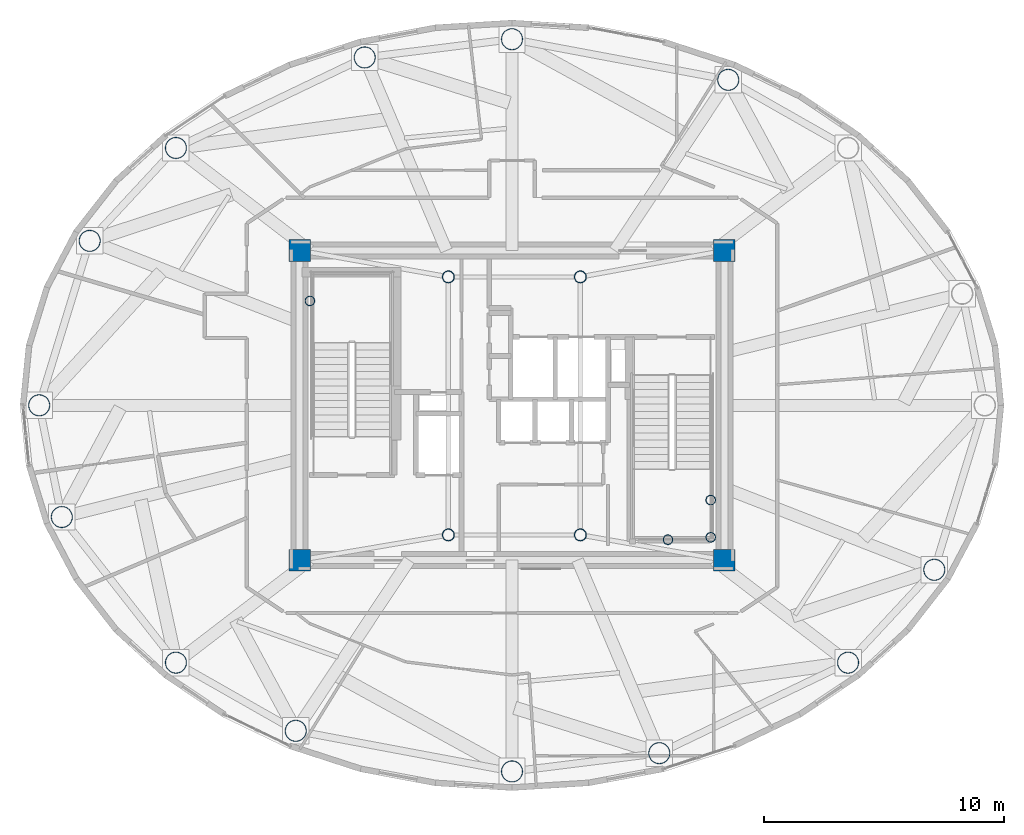
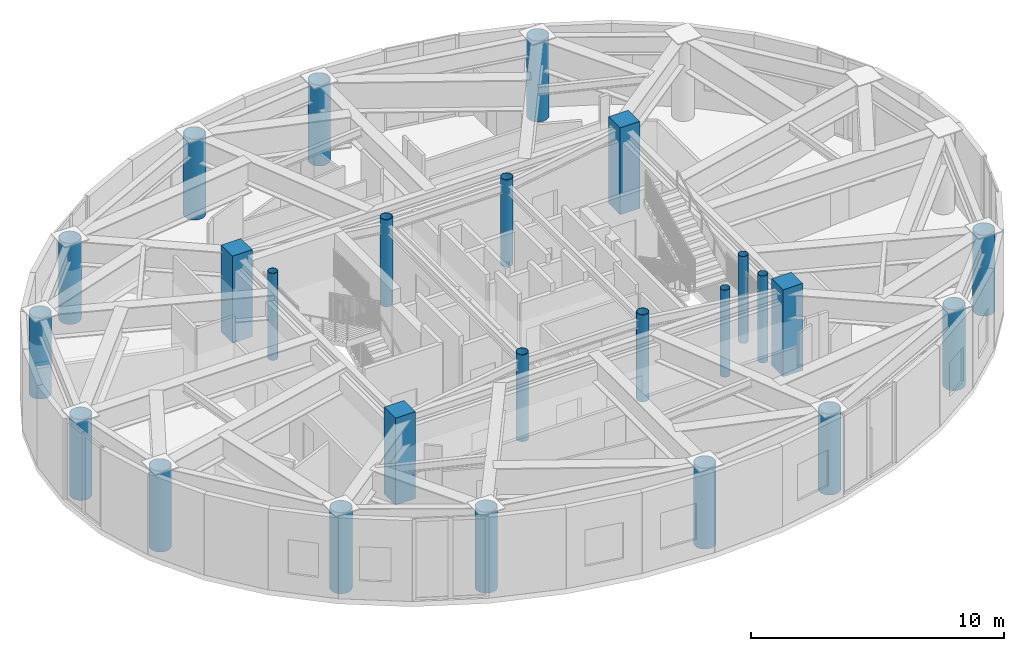
# One storey, part 1 of 23: 25 columns.
"""IFC4 building model written with IfcOpenShell, lengths in metres."""

from ifc_helpers import new_model, si_unit, direction, frame, origin, origin_2d, place, context, subcontext, project, spatial, rectangle, hollow_circle, extrude, material, material_profile, profile_set, type_object, element, save


model = new_model("IFC4")

# Units and contexts
model_context = context("Model", 3, precision=1e-05, world=origin(), true_north=direction((0.0, 1.0)))
body_context = subcontext(model_context, "Body", "Model", "MODEL_VIEW")
ifc_project = project(units=[si_unit("LENGTHUNIT", "METRE"), si_unit("AREAUNIT", "SQUARE_METRE"), si_unit("VOLUMEUNIT", "CUBIC_METRE"), si_unit("PLANEANGLEUNIT", "RADIAN"), si_unit("MASSUNIT", "GRAM", prefix="KILO")], contexts=[model_context])

# Site, building, storey
site_placement = place(None, origin())
site = spatial("IfcSite", under=ifc_project, at=site_placement, CompositionType="ELEMENT")
building_placement = place(site_placement, origin())
building = spatial("IfcBuilding", under=site, at=building_placement, Name="Linh Dai School and Residence Tower", CompositionType="ELEMENT")
storey_placement = place(building_placement, frame((0.0, 0.0, 359.39990234375)))
storey = spatial("IfcBuildingStorey", under=building, at=storey_placement, Name="L89", CompositionType="ELEMENT", Elevation=359.39990234375)

# Columns
ifc_material_1 = material(Name="Concrete B45 (C35/45)", Category="concrete")
ifc_material_profile_1 = material_profile(ifc_material_1, rectangle(XDim=0.89990234375, YDim=0.89990234375, at=origin_2d()), Name="RC 900x900")
ifc_profile_set_1 = profile_set([ifc_material_profile_1], Name="Concrete B45 (C35/45)")
column_type_1 = type_object("IfcColumnType", Name="COL-CC4", PredefinedType="COLUMN", material=ifc_profile_set_1)
for number, where, z_axis, x_axis, name in (
    (1, (27.14990234375, 20.550048828125, 0.0), (0.0, 0.0, 1.0), (1.0, 0.0, 0.0), "L89 Core Corner Pier CC1"),
    (2, (44.85009765625, 20.550048828125, 0.0), (0.0, 0.0, 1.0), (1.0, 0.0, 0.0), "L89 Core Corner Pier CC2"),
    (3, (44.85009765625, 33.449951171875, 0.0), (0.0, 0.0, 1.0), (1.0, 0.0, 0.0), "L89 Core Corner Pier CC3"),
    (4, (27.14990234375, 33.449951171875, 0.0), (0.0, 0.0, 1.0), (1.0, 0.0, 0.0), "L89 Core Corner Pier CC4"),
):
    element("IfcColumn", number, at=place(storey_placement, frame(where, z_axis=z_axis, x_axis=x_axis)), inside=storey, type_object=column_type_1, Name=name, PredefinedType="COLUMN", context=body_context, shape_type="SweptSolid", body=[
        extrude(rectangle(XDim=0.89990234375, YDim=0.89990234375, at=origin_2d()), origin(), (0.0, 0.0, 1.0), 4.2001953125),
    ])
ifc_material_2 = material(Name="Structural Steel S355JR", Category="steel")
ifc_material_profile_2 = material_profile(ifc_material_2, hollow_circle(Radius=0.203125, WallThickness=0.01611328125, at=origin_2d()), Name="CHS 406.4x16")
ifc_profile_set_2 = profile_set([ifc_material_profile_2], Name="Structural Steel S355JR")
column_type_2 = type_object("IfcColumnType", Name="COL-EC", PredefinedType="COLUMN", material=ifc_profile_set_2)
for number, where, z_axis, x_axis, name in (
    (5, (27.580078125, 31.35009765625, 0.0), (0.0, 0.0, 1.0), (1.0, 0.0, 0.0), "L89 Stair Shaft Landing Support Pier ST1NW"),
    (6, (44.280029296875, 21.5, 0.0), (0.0, 0.0, 1.0), (1.0, 0.0, 0.0), "L89 Stair Shaft Landing Support Pier ST2SE"),
    (7, (44.280029296875, 23.050048828125, 0.0), (0.0, 0.0, 1.0), (1.0, 0.0, 0.0), "L89 Stair Shaft Landing Support Pier ST2NE"),
    (8, (42.5, 21.39990234375, 0.0), (0.0, 0.0, 1.0), (1.0, 0.0, 0.0), "L89 Stair Shaft Landing Support Pier ST2MS"),
):
    element("IfcColumn", number, at=place(storey_placement, frame(where, z_axis=z_axis, x_axis=x_axis)), inside=storey, type_object=column_type_2, Name=name, PredefinedType="COLUMN", context=body_context, shape_type="SweptSolid", body=[
        extrude(hollow_circle(Radius=0.203125, WallThickness=0.01611328125, at=origin_2d()), origin(), (0.0, 0.0, 1.0), 4.2001953125),
    ])
ifc_material_profile_3 = material_profile(ifc_material_2, hollow_circle(Radius=0.449951171875, WallThickness=0.028076171875, at=origin_2d()), Name="CHS 900x28")
ifc_profile_set_3 = profile_set([ifc_material_profile_3], Name="Structural Steel S355JR")
column_type_3 = type_object("IfcColumnType", Name="COL-MC7", PredefinedType="COLUMN", material=ifc_profile_set_3)
for number, where, z_axis, x_axis, name in (
    (9, (45.01025390625, 40.56201171875, 0.0), (0.0, 0.0, 1.0), (1.0, 0.0, 0.0), "L89 Perimeter CFT Mega-Column MC04"),
    (10, (36.0, 42.2548828125, 0.0), (0.0, 0.0, 1.0), (1.0, 0.0, 0.0), "L89 Perimeter CFT Mega-Column MC05"),
    (11, (29.862548828125, 41.493896484375, 0.0), (0.0, 0.0, 1.0), (1.0, 0.0, 0.0), "L89 Perimeter CFT Mega-Column MC06"),
    (12, (21.99755859375, 37.72265625, 0.0), (0.0, 0.0, 1.0), (1.0, 0.0, 0.0), "L89 Perimeter CFT Mega-Column MC07"),
    (13, (18.405029296875, 33.8525390625, 0.0), (0.0, 0.0, 1.0), (1.0, 0.0, 0.0), "L89 Perimeter CFT Mega-Column MC08"),
    (14, (16.300048828125, 27.0, 0.0), (0.0, 0.0, 1.0), (1.0, 0.0, 0.0), "L89 Perimeter CFT Mega-Column MC09"),
    (15, (17.2421875, 22.34521484375, 0.0), (0.0, 0.0, 1.0), (1.0, 0.0, 0.0), "L89 Perimeter CFT Mega-Column MC10"),
    (16, (21.99755859375, 16.27734375, 0.0), (0.0, 0.0, 1.0), (1.0, 0.0, 0.0), "L89 Perimeter CFT Mega-Column MC11"),
    (17, (26.98974609375, 13.43798828125, 0.0), (0.0, 0.0, 1.0), (1.0, 0.0, 0.0), "L89 Perimeter CFT Mega-Column MC12"),
    (18, (36.0, 11.7451171875, 0.0), (0.0, 0.0, 1.0), (1.0, 0.0, 0.0), "L89 Perimeter CFT Mega-Column MC13"),
    (19, (42.137451171875, 12.506103515625, 0.0), (0.0, 0.0, 1.0), (1.0, 0.0, 0.0), "L89 Perimeter CFT Mega-Column MC14"),
    (20, (50.00244140625, 16.27734375, 0.0), (0.0, 0.0, 1.0), (1.0, 0.0, 0.0), "L89 Perimeter CFT Mega-Column MC15"),
    (21, (53.594970703125, 20.1474609375, 0.0), (0.0, 0.0, 1.0), (1.0, 0.0, 0.0), "L89 Perimeter CFT Mega-Column MC16"),
):
    element("IfcColumn", number, at=place(storey_placement, frame(where, z_axis=z_axis, x_axis=x_axis)), inside=storey, type_object=column_type_3, Name=name, PredefinedType="COLUMN", context=body_context, shape_type="SweptSolid", body=[
        extrude(hollow_circle(Radius=0.449951171875, WallThickness=0.028076171875, at=origin_2d()), origin(), (0.0, 0.0, 1.0), 3.900146484375),
    ])
ifc_material_profile_4 = material_profile(ifc_material_2, hollow_circle(Radius=0.25390625, WallThickness=0.02001953125, at=origin_2d()), Name="CHS 508x20")
ifc_profile_set_4 = profile_set([ifc_material_profile_4], Name="Structural Steel S355JR")
column_type_4 = type_object("IfcColumnType", Name="COL-MCP", PredefinedType="COLUMN", material=ifc_profile_set_4)
for number, where, z_axis, x_axis, name in (
    (22, (33.35009765625, 21.60009765625, 0.0), (0.0, 0.0, 1.0), (1.0, 0.0, 0.0), "L89 Core Mast Support Pier MCP1"),
    (23, (38.85009765625, 21.60009765625, 0.0), (0.0, 0.0, 1.0), (1.0, 0.0, 0.0), "L89 Core Mast Support Pier MCP2"),
    (24, (38.85009765625, 32.35009765625, 0.0), (0.0, 0.0, 1.0), (1.0, 0.0, 0.0), "L89 Core Mast Support Pier MCP3"),
    (25, (33.35009765625, 32.35009765625, 0.0), (0.0, 0.0, 1.0), (1.0, 0.0, 0.0), "L89 Core Mast Support Pier MCP4"),
):
    element("IfcColumn", number, at=place(storey_placement, frame(where, z_axis=z_axis, x_axis=x_axis)), inside=storey, type_object=column_type_4, Name=name, PredefinedType="COLUMN", context=body_context, shape_type="SweptSolid", body=[
        extrude(hollow_circle(Radius=0.25390625, WallThickness=0.02001953125, at=origin_2d()), origin(), (0.0, 0.0, 1.0), 4.2001953125),
    ])

save(model, "model.ifc")
